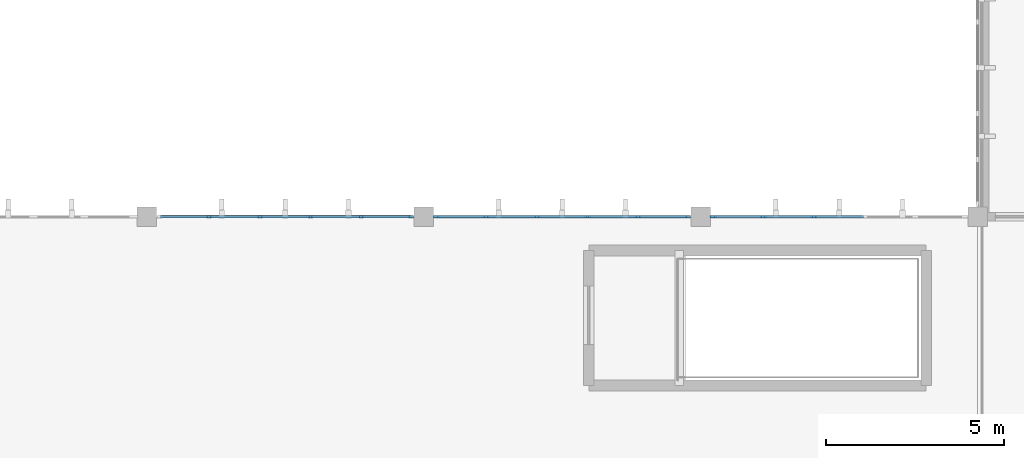
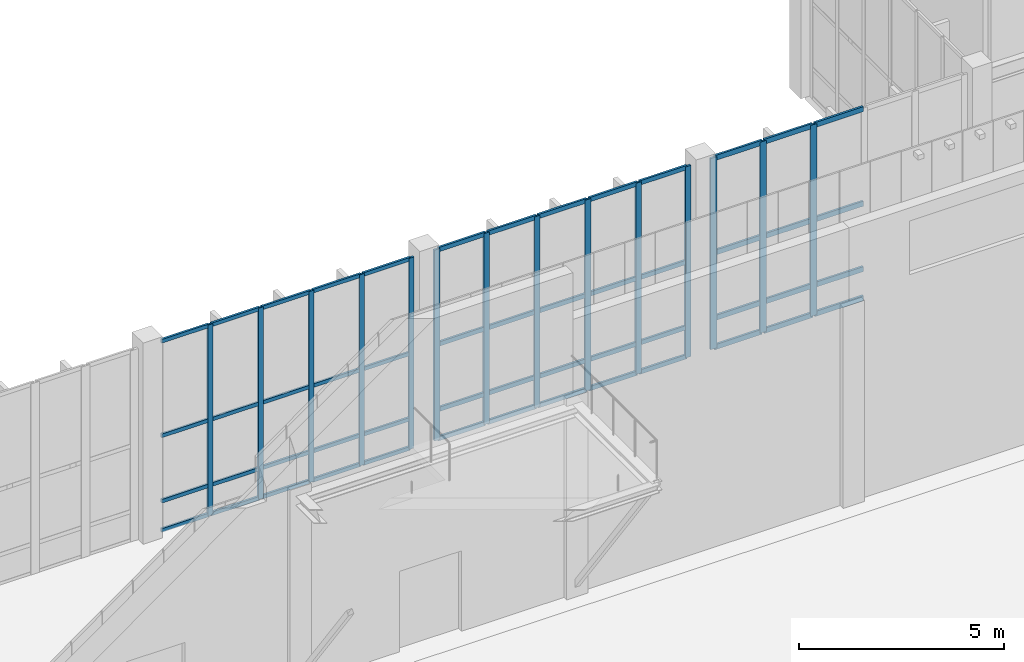
# One storey, part 34 of 105: 66 members, 3 elements without a shape of their own.
"""IFC4 building model written with IfcOpenShell, lengths in metres."""

from ifc_helpers import new_model, si_unit, direction, frame, origin, origin_2d, place, context, subcontext, project, spatial, rectangle, extrude, material, material_profile, profile_set, type_object, element, aggregate, save


model = new_model("IFC4")

# Units and contexts
model_context = context("Model", 3, precision=1e-05, world=origin(), true_north=direction((0.0, 1.0)))
body_context = subcontext(model_context, "Body", "Model", "MODEL_VIEW")
ifc_project = project(units=[si_unit("LENGTHUNIT", "METRE"), si_unit("AREAUNIT", "SQUARE_METRE"), si_unit("VOLUMEUNIT", "CUBIC_METRE"), si_unit("PLANEANGLEUNIT", "RADIAN"), si_unit("MASSUNIT", "GRAM", prefix="KILO")], contexts=[model_context])

# Site, building, storey
site_placement = place(None, origin())
site = spatial("IfcSite", under=ifc_project, at=site_placement, CompositionType="ELEMENT")
building_placement = place(site_placement, origin())
building = spatial("IfcBuilding", under=site, at=building_placement, Name="Tizgana Railside Sports Hall", CompositionType="ELEMENT")
storey_placement = place(building_placement, frame((0.0, 0.0, 6.0)))
storey = spatial("IfcBuildingStorey", under=building, at=storey_placement, Name="L01", CompositionType="ELEMENT", Elevation=6.0)

# Curtain wall, members
ifc_material_1 = material(Name="Anodised aluminium and glass", Category="aluminium")
curtain_wall_type_1 = type_object("IfcCurtainWallType", Name="Unitised Curtain Wall Clinic 1200", PredefinedType="NOTDEFINED", material=ifc_material_1)
curtain_wall_1_placement = place(storey_placement, origin())
curtain_wall_1 = element("IfcCurtainWall", 1, at=curtain_wall_1_placement, inside=storey, type_object=curtain_wall_type_1, Name="L01 Curtain Wall CW-0012", PredefinedType="NOTDEFINED")
ifc_material_2 = material(Name="Anodised aluminium", Category="aluminium")
ifc_material_profile_1 = material_profile(ifc_material_2, rectangle(XDim=0.06005859375, YDim=0.139892578125, at=origin_2d()), Name="Mullion 60x140")
ifc_profile_set_1 = profile_set([ifc_material_profile_1], Name="Anodised aluminium")
member_type_1 = type_object("IfcMemberType", Name="Mullion 60x140", PredefinedType="MULLION", material=ifc_profile_set_1)
member_1_placement = place(storey_placement, frame((32.9580078125, 80.39990234375, 0.0), z_axis=(0.0, 0.0, 1.0), x_axis=(0.0, 1.0, 0.0)))
member_1 = element("IfcMember", 2, at=member_1_placement, type_object=member_type_1, Name="CW-05 mullion 2", PredefinedType="MULLION", context=body_context, shape_type="SweptSolid", body=[
    extrude(rectangle(XDim=0.06005859375, YDim=0.139892578125, at=origin_2d()), origin(), (0.0, 0.0, 1.0), 5.699951171875),
])
member_2_placement = place(storey_placement, frame((34.385986328125, 80.39990234375, 0.0), z_axis=(0.0, 0.0, 1.0), x_axis=(0.0, 1.0, 0.0)))
member_2 = element("IfcMember", 3, at=member_2_placement, type_object=member_type_1, Name="CW-05 mullion 3", PredefinedType="MULLION", context=body_context, shape_type="SweptSolid", body=[
    extrude(rectangle(XDim=0.06005859375, YDim=0.139892578125, at=origin_2d()), origin(), (0.0, 0.0, 1.0), 5.699951171875),
])
member_3_placement = place(storey_placement, frame((35.81396484375, 80.39990234375, 0.0), z_axis=(0.0, 0.0, 1.0), x_axis=(0.0, 1.0, 0.0)))
member_3 = element("IfcMember", 4, at=member_3_placement, type_object=member_type_1, Name="CW-05 mullion 4", PredefinedType="MULLION", context=body_context, shape_type="SweptSolid", body=[
    extrude(rectangle(XDim=0.06005859375, YDim=0.139892578125, at=origin_2d()), origin(), (0.0, 0.0, 1.0), 5.699951171875),
])
member_4_placement = place(storey_placement, frame((37.241943359375, 80.39990234375, 0.0), z_axis=(0.0, 0.0, 1.0), x_axis=(0.0, 1.0, 0.0)))
member_4 = element("IfcMember", 5, at=member_4_placement, type_object=member_type_1, Name="CW-05 mullion 5", PredefinedType="MULLION", context=body_context, shape_type="SweptSolid", body=[
    extrude(rectangle(XDim=0.06005859375, YDim=0.139892578125, at=origin_2d()), origin(), (0.0, 0.0, 1.0), 5.699951171875),
])
member_5_placement = place(storey_placement, frame((38.639892578125, 80.39990234375, 0.0), z_axis=(0.0, 0.0, 1.0), x_axis=(0.0, 1.0, 0.0)))
member_5 = element("IfcMember", 6, at=member_5_placement, type_object=member_type_1, Name="CW-05 mullion 6", PredefinedType="MULLION", context=body_context, shape_type="SweptSolid", body=[
    extrude(rectangle(XDim=0.06005859375, YDim=0.139892578125, at=origin_2d()), origin(), (0.0, 0.0, 1.0), 5.699951171875),
])

curtain_wall_type_2 = type_object("IfcCurtainWallType", Name="Unitised Curtain Wall Passage 1800", PredefinedType="NOTDEFINED", material=ifc_material_1)
curtain_wall_2_placement = place(storey_placement, origin())
curtain_wall_2 = element("IfcCurtainWall", 7, at=curtain_wall_2_placement, inside=storey, type_object=curtain_wall_type_2, Name="L01 Curtain Wall CW-0013", PredefinedType="NOTDEFINED")
ifc_material_profile_2 = material_profile(ifc_material_2, rectangle(XDim=0.06005859375, YDim=0.159912109375, at=origin_2d()), Name="Mullion 60x160")
ifc_profile_set_2 = profile_set([ifc_material_profile_2], Name="Anodised aluminium")
member_type_2 = type_object("IfcMemberType", Name="Mullion 60x160", PredefinedType="MULLION", material=ifc_profile_set_2)
member_6_placement = place(storey_placement, frame((39.360107421875, 80.39990234375, 0.0), z_axis=(0.0, 0.0, 1.0), x_axis=(0.0, 1.0, 0.0)))
member_6 = element("IfcMember", 8, at=member_6_placement, type_object=member_type_2, Name="CW-06 mullion 1", PredefinedType="MULLION", context=body_context, shape_type="SweptSolid", body=[
    extrude(rectangle(XDim=0.06005859375, YDim=0.159912109375, at=origin_2d()), origin(), (0.0, 0.0, 1.0), 5.699951171875),
])
member_7_placement = place(storey_placement, frame((40.758056640625, 80.39990234375, 0.0), z_axis=(0.0, 0.0, 1.0), x_axis=(0.0, 1.0, 0.0)))
member_7 = element("IfcMember", 9, at=member_7_placement, type_object=member_type_2, Name="CW-06 mullion 2", PredefinedType="MULLION", context=body_context, shape_type="SweptSolid", body=[
    extrude(rectangle(XDim=0.06005859375, YDim=0.159912109375, at=origin_2d()), origin(), (0.0, 0.0, 1.0), 5.699951171875),
])
member_8_placement = place(storey_placement, frame((42.18603515625, 80.39990234375, 0.0), z_axis=(0.0, 0.0, 1.0), x_axis=(0.0, 1.0, 0.0)))
member_8 = element("IfcMember", 10, at=member_8_placement, type_object=member_type_2, Name="CW-06 mullion 3", PredefinedType="MULLION", context=body_context, shape_type="SweptSolid", body=[
    extrude(rectangle(XDim=0.06005859375, YDim=0.159912109375, at=origin_2d()), origin(), (0.0, 0.0, 1.0), 5.699951171875),
])
member_9_placement = place(storey_placement, frame((43.614013671875, 80.39990234375, 0.0), z_axis=(0.0, 0.0, 1.0), x_axis=(0.0, 1.0, 0.0)))
member_9 = element("IfcMember", 11, at=member_9_placement, type_object=member_type_2, Name="CW-06 mullion 4", PredefinedType="MULLION", context=body_context, shape_type="SweptSolid", body=[
    extrude(rectangle(XDim=0.06005859375, YDim=0.159912109375, at=origin_2d()), origin(), (0.0, 0.0, 1.0), 5.699951171875),
])
member_10_placement = place(storey_placement, frame((45.0419921875, 80.39990234375, 0.0), z_axis=(0.0, 0.0, 1.0), x_axis=(0.0, 1.0, 0.0)))
member_10 = element("IfcMember", 12, at=member_10_placement, type_object=member_type_2, Name="CW-06 mullion 5", PredefinedType="MULLION", context=body_context, shape_type="SweptSolid", body=[
    extrude(rectangle(XDim=0.06005859375, YDim=0.159912109375, at=origin_2d()), origin(), (0.0, 0.0, 1.0), 5.699951171875),
])
member_11_placement = place(storey_placement, frame((46.43994140625, 80.39990234375, 0.0), z_axis=(0.0, 0.0, 1.0), x_axis=(0.0, 1.0, 0.0)))
member_11 = element("IfcMember", 13, at=member_11_placement, type_object=member_type_2, Name="CW-06 mullion 6", PredefinedType="MULLION", context=body_context, shape_type="SweptSolid", body=[
    extrude(rectangle(XDim=0.06005859375, YDim=0.159912109375, at=origin_2d()), origin(), (0.0, 0.0, 1.0), 5.699951171875),
])

curtain_wall_type_3 = type_object("IfcCurtainWallType", Name="Unitised Curtain Wall WestHall 1560", PredefinedType="NOTDEFINED", material=ifc_material_1)
curtain_wall_3_placement = place(storey_placement, origin())
curtain_wall_3 = element("IfcCurtainWall", 14, at=curtain_wall_3_placement, inside=storey, type_object=curtain_wall_type_3, Name="L01 Curtain Wall CW-0014", PredefinedType="NOTDEFINED")
ifc_material_profile_3 = material_profile(ifc_material_2, rectangle(XDim=0.06005859375, YDim=0.179931640625, at=origin_2d()), Name="Mullion 60x180")
ifc_profile_set_3 = profile_set([ifc_material_profile_3], Name="Anodised aluminium")
member_type_3 = type_object("IfcMemberType", Name="Mullion 60x180", PredefinedType="MULLION", material=ifc_profile_set_3)
member_12_placement = place(storey_placement, frame((47.159912109375, 80.39990234375, 0.0), z_axis=(0.0, 0.0, 1.0), x_axis=(0.0, 1.0, 0.0)))
member_12 = element("IfcMember", 15, at=member_12_placement, type_object=member_type_3, Name="CW-07 mullion 1", PredefinedType="MULLION", context=body_context, shape_type="SweptSolid", body=[
    extrude(rectangle(XDim=0.06005859375, YDim=0.179931640625, at=origin_2d()), origin(), (0.0, 0.0, 1.0), 5.699951171875),
])
member_13_placement = place(storey_placement, frame((48.55810546875, 80.39990234375, 0.0), z_axis=(0.0, 0.0, 1.0), x_axis=(0.0, 1.0, 0.0)))
member_13 = element("IfcMember", 16, at=member_13_placement, type_object=member_type_3, Name="CW-07 mullion 2", PredefinedType="MULLION", context=body_context, shape_type="SweptSolid", body=[
    extrude(rectangle(XDim=0.06005859375, YDim=0.179931640625, at=origin_2d()), origin(), (0.0, 0.0, 1.0), 5.699951171875),
])
member_14_placement = place(storey_placement, frame((49.986083984375, 80.39990234375, 0.0), z_axis=(0.0, 0.0, 1.0), x_axis=(0.0, 1.0, 0.0)))
member_14 = element("IfcMember", 17, at=member_14_placement, type_object=member_type_3, Name="CW-07 mullion 3", PredefinedType="MULLION", context=body_context, shape_type="SweptSolid", body=[
    extrude(rectangle(XDim=0.06005859375, YDim=0.179931640625, at=origin_2d()), origin(), (0.0, 0.0, 1.0), 5.699951171875),
])

# Member
ifc_material_profile_4 = material_profile(ifc_material_2, rectangle(XDim=0.06005859375, YDim=0.110107421875, at=origin_2d()), Name="Transom 60x110")
ifc_profile_set_4 = profile_set([ifc_material_profile_4], Name="Anodised aluminium")
member_type_4 = type_object("IfcMemberType", Name="Transom 60x110", PredefinedType="USERDEFINED", material=ifc_profile_set_4)
member_15_placement = place(storey_placement, frame((31.590087890625, 80.39990234375, 0.030029296875), z_axis=(1.0, 0.0, 0.0), x_axis=(0.0, 1.0, 0.0)))
member_15 = element("IfcMember", 18, at=member_15_placement, type_object=member_type_4, Name="CW-05 transom 1.1", ObjectType="TRANSOM", PredefinedType="USERDEFINED", context=body_context, shape_type="SweptSolid", body=[
    extrude(rectangle(XDim=0.06005859375, YDim=0.110107421875, at=origin_2d()), origin(), (0.0, 0.0, 1.0), 1.337890625),
])

member_16_placement = place(storey_placement, frame((31.590087890625, 80.39990234375, 0.89990234375), z_axis=(1.0, 0.0, 0.0), x_axis=(0.0, 1.0, 0.0)))
member_16 = element("IfcMember", 19, at=member_16_placement, type_object=member_type_4, Name="CW-05 transom 1.2", ObjectType="TRANSOM", PredefinedType="USERDEFINED", context=body_context, shape_type="SweptSolid", body=[
    extrude(rectangle(XDim=0.06005859375, YDim=0.110107421875, at=origin_2d()), origin(), (0.0, 0.0, 1.0), 1.337890625),
])

member_17_placement = place(storey_placement, frame((31.590087890625, 80.39990234375, 2.85009765625), z_axis=(1.0, 0.0, 0.0), x_axis=(0.0, 1.0, 0.0)))
member_17 = element("IfcMember", 20, at=member_17_placement, type_object=member_type_4, Name="CW-05 transom 1.3", ObjectType="TRANSOM", PredefinedType="USERDEFINED", context=body_context, shape_type="SweptSolid", body=[
    extrude(rectangle(XDim=0.06005859375, YDim=0.110107421875, at=origin_2d()), origin(), (0.0, 0.0, 1.0), 1.337890625),
])

member_18_placement = place(storey_placement, frame((31.590087890625, 80.39990234375, 5.669921875), z_axis=(1.0, 0.0, 0.0), x_axis=(0.0, 1.0, 0.0)))
member_18 = element("IfcMember", 21, at=member_18_placement, type_object=member_type_4, Name="CW-05 transom 1.4", ObjectType="TRANSOM", PredefinedType="USERDEFINED", context=body_context, shape_type="SweptSolid", body=[
    extrude(rectangle(XDim=0.06005859375, YDim=0.110107421875, at=origin_2d()), origin(), (0.0, 0.0, 1.0), 1.337890625),
])

member_19_placement = place(storey_placement, frame((32.988037109375, 80.39990234375, 0.030029296875), z_axis=(1.0, 0.0, 0.0), x_axis=(0.0, 1.0, 0.0)))
member_19 = element("IfcMember", 22, at=member_19_placement, type_object=member_type_4, Name="CW-05 transom 2.1", ObjectType="TRANSOM", PredefinedType="USERDEFINED", context=body_context, shape_type="SweptSolid", body=[
    extrude(rectangle(XDim=0.06005859375, YDim=0.110107421875, at=origin_2d()), origin(), (0.0, 0.0, 1.0), 1.367919921875),
])

member_20_placement = place(storey_placement, frame((32.988037109375, 80.39990234375, 0.89990234375), z_axis=(1.0, 0.0, 0.0), x_axis=(0.0, 1.0, 0.0)))
member_20 = element("IfcMember", 23, at=member_20_placement, type_object=member_type_4, Name="CW-05 transom 2.2", ObjectType="TRANSOM", PredefinedType="USERDEFINED", context=body_context, shape_type="SweptSolid", body=[
    extrude(rectangle(XDim=0.06005859375, YDim=0.110107421875, at=origin_2d()), origin(), (0.0, 0.0, 1.0), 1.367919921875),
])

member_21_placement = place(storey_placement, frame((32.988037109375, 80.39990234375, 2.85009765625), z_axis=(1.0, 0.0, 0.0), x_axis=(0.0, 1.0, 0.0)))
member_21 = element("IfcMember", 24, at=member_21_placement, type_object=member_type_4, Name="CW-05 transom 2.3", ObjectType="TRANSOM", PredefinedType="USERDEFINED", context=body_context, shape_type="SweptSolid", body=[
    extrude(rectangle(XDim=0.06005859375, YDim=0.110107421875, at=origin_2d()), origin(), (0.0, 0.0, 1.0), 1.367919921875),
])

member_22_placement = place(storey_placement, frame((32.988037109375, 80.39990234375, 5.669921875), z_axis=(1.0, 0.0, 0.0), x_axis=(0.0, 1.0, 0.0)))
member_22 = element("IfcMember", 25, at=member_22_placement, type_object=member_type_4, Name="CW-05 transom 2.4", ObjectType="TRANSOM", PredefinedType="USERDEFINED", context=body_context, shape_type="SweptSolid", body=[
    extrude(rectangle(XDim=0.06005859375, YDim=0.110107421875, at=origin_2d()), origin(), (0.0, 0.0, 1.0), 1.367919921875),
])

member_23_placement = place(storey_placement, frame((34.416015625, 80.39990234375, 0.030029296875), z_axis=(1.0, 0.0, 0.0), x_axis=(0.0, 1.0, 0.0)))
member_23 = element("IfcMember", 26, at=member_23_placement, type_object=member_type_4, Name="CW-05 transom 3.1", ObjectType="TRANSOM", PredefinedType="USERDEFINED", context=body_context, shape_type="SweptSolid", body=[
    extrude(rectangle(XDim=0.06005859375, YDim=0.110107421875, at=origin_2d()), origin(), (0.0, 0.0, 1.0), 1.367919921875),
])

member_24_placement = place(storey_placement, frame((34.416015625, 80.39990234375, 0.89990234375), z_axis=(1.0, 0.0, 0.0), x_axis=(0.0, 1.0, 0.0)))
member_24 = element("IfcMember", 27, at=member_24_placement, type_object=member_type_4, Name="CW-05 transom 3.2", ObjectType="TRANSOM", PredefinedType="USERDEFINED", context=body_context, shape_type="SweptSolid", body=[
    extrude(rectangle(XDim=0.06005859375, YDim=0.110107421875, at=origin_2d()), origin(), (0.0, 0.0, 1.0), 1.367919921875),
])

member_25_placement = place(storey_placement, frame((34.416015625, 80.39990234375, 2.85009765625), z_axis=(1.0, 0.0, 0.0), x_axis=(0.0, 1.0, 0.0)))
member_25 = element("IfcMember", 28, at=member_25_placement, type_object=member_type_4, Name="CW-05 transom 3.3", ObjectType="TRANSOM", PredefinedType="USERDEFINED", context=body_context, shape_type="SweptSolid", body=[
    extrude(rectangle(XDim=0.06005859375, YDim=0.110107421875, at=origin_2d()), origin(), (0.0, 0.0, 1.0), 1.367919921875),
])

member_26_placement = place(storey_placement, frame((34.416015625, 80.39990234375, 5.669921875), z_axis=(1.0, 0.0, 0.0), x_axis=(0.0, 1.0, 0.0)))
member_26 = element("IfcMember", 29, at=member_26_placement, type_object=member_type_4, Name="CW-05 transom 3.4", ObjectType="TRANSOM", PredefinedType="USERDEFINED", context=body_context, shape_type="SweptSolid", body=[
    extrude(rectangle(XDim=0.06005859375, YDim=0.110107421875, at=origin_2d()), origin(), (0.0, 0.0, 1.0), 1.367919921875),
])

member_27_placement = place(storey_placement, frame((35.843994140625, 80.39990234375, 0.030029296875), z_axis=(1.0, 0.0, 0.0), x_axis=(0.0, 1.0, 0.0)))
member_27 = element("IfcMember", 30, at=member_27_placement, type_object=member_type_4, Name="CW-05 transom 4.1", ObjectType="TRANSOM", PredefinedType="USERDEFINED", context=body_context, shape_type="SweptSolid", body=[
    extrude(rectangle(XDim=0.06005859375, YDim=0.110107421875, at=origin_2d()), origin(), (0.0, 0.0, 1.0), 1.367919921875),
])

member_28_placement = place(storey_placement, frame((35.843994140625, 80.39990234375, 0.89990234375), z_axis=(1.0, 0.0, 0.0), x_axis=(0.0, 1.0, 0.0)))
member_28 = element("IfcMember", 31, at=member_28_placement, type_object=member_type_4, Name="CW-05 transom 4.2", ObjectType="TRANSOM", PredefinedType="USERDEFINED", context=body_context, shape_type="SweptSolid", body=[
    extrude(rectangle(XDim=0.06005859375, YDim=0.110107421875, at=origin_2d()), origin(), (0.0, 0.0, 1.0), 1.367919921875),
])

member_29_placement = place(storey_placement, frame((35.843994140625, 80.39990234375, 2.85009765625), z_axis=(1.0, 0.0, 0.0), x_axis=(0.0, 1.0, 0.0)))
member_29 = element("IfcMember", 32, at=member_29_placement, type_object=member_type_4, Name="CW-05 transom 4.3", ObjectType="TRANSOM", PredefinedType="USERDEFINED", context=body_context, shape_type="SweptSolid", body=[
    extrude(rectangle(XDim=0.06005859375, YDim=0.110107421875, at=origin_2d()), origin(), (0.0, 0.0, 1.0), 1.367919921875),
])

member_30_placement = place(storey_placement, frame((35.843994140625, 80.39990234375, 5.669921875), z_axis=(1.0, 0.0, 0.0), x_axis=(0.0, 1.0, 0.0)))
member_30 = element("IfcMember", 33, at=member_30_placement, type_object=member_type_4, Name="CW-05 transom 4.4", ObjectType="TRANSOM", PredefinedType="USERDEFINED", context=body_context, shape_type="SweptSolid", body=[
    extrude(rectangle(XDim=0.06005859375, YDim=0.110107421875, at=origin_2d()), origin(), (0.0, 0.0, 1.0), 1.367919921875),
])

member_31_placement = place(storey_placement, frame((37.27197265625, 80.39990234375, 0.030029296875), z_axis=(1.0, 0.0, 0.0), x_axis=(0.0, 1.0, 0.0)))
member_31 = element("IfcMember", 34, at=member_31_placement, type_object=member_type_4, Name="CW-05 transom 5.1", ObjectType="TRANSOM", PredefinedType="USERDEFINED", context=body_context, shape_type="SweptSolid", body=[
    extrude(rectangle(XDim=0.06005859375, YDim=0.110107421875, at=origin_2d()), origin(), (0.0, 0.0, 1.0), 1.338134765625),
])

member_32_placement = place(storey_placement, frame((37.27197265625, 80.39990234375, 0.89990234375), z_axis=(1.0, 0.0, 0.0), x_axis=(0.0, 1.0, 0.0)))
member_32 = element("IfcMember", 35, at=member_32_placement, type_object=member_type_4, Name="CW-05 transom 5.2", ObjectType="TRANSOM", PredefinedType="USERDEFINED", context=body_context, shape_type="SweptSolid", body=[
    extrude(rectangle(XDim=0.06005859375, YDim=0.110107421875, at=origin_2d()), origin(), (0.0, 0.0, 1.0), 1.338134765625),
])

member_33_placement = place(storey_placement, frame((37.27197265625, 80.39990234375, 2.85009765625), z_axis=(1.0, 0.0, 0.0), x_axis=(0.0, 1.0, 0.0)))
member_33 = element("IfcMember", 36, at=member_33_placement, type_object=member_type_4, Name="CW-05 transom 5.3", ObjectType="TRANSOM", PredefinedType="USERDEFINED", context=body_context, shape_type="SweptSolid", body=[
    extrude(rectangle(XDim=0.06005859375, YDim=0.110107421875, at=origin_2d()), origin(), (0.0, 0.0, 1.0), 1.338134765625),
])

member_34_placement = place(storey_placement, frame((37.27197265625, 80.39990234375, 5.669921875), z_axis=(1.0, 0.0, 0.0), x_axis=(0.0, 1.0, 0.0)))
member_34 = element("IfcMember", 37, at=member_34_placement, type_object=member_type_4, Name="CW-05 transom 5.4", ObjectType="TRANSOM", PredefinedType="USERDEFINED", context=body_context, shape_type="SweptSolid", body=[
    extrude(rectangle(XDim=0.06005859375, YDim=0.110107421875, at=origin_2d()), origin(), (0.0, 0.0, 1.0), 1.338134765625),
])

aggregate(curtain_wall_1, [member_1, member_2, member_3, member_4, member_5, member_15, member_16, member_17, member_18, member_19, member_20, member_21, member_22, member_23, member_24, member_25, member_26, member_27, member_28, member_29, member_30, member_31, member_32, member_33, member_34])

ifc_material_profile_5 = material_profile(ifc_material_2, rectangle(XDim=0.06005859375, YDim=0.1298828125, at=origin_2d()), Name="Transom 60x130")
ifc_profile_set_5 = profile_set([ifc_material_profile_5], Name="Anodised aluminium")
member_type_5 = type_object("IfcMemberType", Name="Transom 60x130", PredefinedType="USERDEFINED", material=ifc_profile_set_5)
member_35_placement = place(storey_placement, frame((39.389892578125, 80.39990234375, 0.030029296875), z_axis=(1.0, 0.0, 0.0), x_axis=(0.0, 1.0, 0.0)))
member_35 = element("IfcMember", 38, at=member_35_placement, type_object=member_type_5, Name="CW-06 transom 1.1", ObjectType="TRANSOM", PredefinedType="USERDEFINED", context=body_context, shape_type="SweptSolid", body=[
    extrude(rectangle(XDim=0.06005859375, YDim=0.1298828125, at=origin_2d()), origin(), (0.0, 0.0, 1.0), 1.338134765625),
])

member_36_placement = place(storey_placement, frame((39.389892578125, 80.39990234375, 0.89990234375), z_axis=(1.0, 0.0, 0.0), x_axis=(0.0, 1.0, 0.0)))
member_36 = element("IfcMember", 39, at=member_36_placement, type_object=member_type_5, Name="CW-06 transom 1.2", ObjectType="TRANSOM", PredefinedType="USERDEFINED", context=body_context, shape_type="SweptSolid", body=[
    extrude(rectangle(XDim=0.06005859375, YDim=0.1298828125, at=origin_2d()), origin(), (0.0, 0.0, 1.0), 1.338134765625),
])

member_37_placement = place(storey_placement, frame((39.389892578125, 80.39990234375, 2.85009765625), z_axis=(1.0, 0.0, 0.0), x_axis=(0.0, 1.0, 0.0)))
member_37 = element("IfcMember", 40, at=member_37_placement, type_object=member_type_5, Name="CW-06 transom 1.3", ObjectType="TRANSOM", PredefinedType="USERDEFINED", context=body_context, shape_type="SweptSolid", body=[
    extrude(rectangle(XDim=0.06005859375, YDim=0.1298828125, at=origin_2d()), origin(), (0.0, 0.0, 1.0), 1.338134765625),
])

member_38_placement = place(storey_placement, frame((39.389892578125, 80.39990234375, 5.669921875), z_axis=(1.0, 0.0, 0.0), x_axis=(0.0, 1.0, 0.0)))
member_38 = element("IfcMember", 41, at=member_38_placement, type_object=member_type_5, Name="CW-06 transom 1.4", ObjectType="TRANSOM", PredefinedType="USERDEFINED", context=body_context, shape_type="SweptSolid", body=[
    extrude(rectangle(XDim=0.06005859375, YDim=0.1298828125, at=origin_2d()), origin(), (0.0, 0.0, 1.0), 1.338134765625),
])

member_39_placement = place(storey_placement, frame((40.7880859375, 80.39990234375, 0.030029296875), z_axis=(1.0, 0.0, 0.0), x_axis=(0.0, 1.0, 0.0)))
member_39 = element("IfcMember", 42, at=member_39_placement, type_object=member_type_5, Name="CW-06 transom 2.1", ObjectType="TRANSOM", PredefinedType="USERDEFINED", context=body_context, shape_type="SweptSolid", body=[
    extrude(rectangle(XDim=0.06005859375, YDim=0.1298828125, at=origin_2d()), origin(), (0.0, 0.0, 1.0), 1.367919921875),
])

member_40_placement = place(storey_placement, frame((40.7880859375, 80.39990234375, 0.89990234375), z_axis=(1.0, 0.0, 0.0), x_axis=(0.0, 1.0, 0.0)))
member_40 = element("IfcMember", 43, at=member_40_placement, type_object=member_type_5, Name="CW-06 transom 2.2", ObjectType="TRANSOM", PredefinedType="USERDEFINED", context=body_context, shape_type="SweptSolid", body=[
    extrude(rectangle(XDim=0.06005859375, YDim=0.1298828125, at=origin_2d()), origin(), (0.0, 0.0, 1.0), 1.367919921875),
])

member_41_placement = place(storey_placement, frame((40.7880859375, 80.39990234375, 2.85009765625), z_axis=(1.0, 0.0, 0.0), x_axis=(0.0, 1.0, 0.0)))
member_41 = element("IfcMember", 44, at=member_41_placement, type_object=member_type_5, Name="CW-06 transom 2.3", ObjectType="TRANSOM", PredefinedType="USERDEFINED", context=body_context, shape_type="SweptSolid", body=[
    extrude(rectangle(XDim=0.06005859375, YDim=0.1298828125, at=origin_2d()), origin(), (0.0, 0.0, 1.0), 1.367919921875),
])

member_42_placement = place(storey_placement, frame((40.7880859375, 80.39990234375, 5.669921875), z_axis=(1.0, 0.0, 0.0), x_axis=(0.0, 1.0, 0.0)))
member_42 = element("IfcMember", 45, at=member_42_placement, type_object=member_type_5, Name="CW-06 transom 2.4", ObjectType="TRANSOM", PredefinedType="USERDEFINED", context=body_context, shape_type="SweptSolid", body=[
    extrude(rectangle(XDim=0.06005859375, YDim=0.1298828125, at=origin_2d()), origin(), (0.0, 0.0, 1.0), 1.367919921875),
])

member_43_placement = place(storey_placement, frame((42.216064453125, 80.39990234375, 0.030029296875), z_axis=(1.0, 0.0, 0.0), x_axis=(0.0, 1.0, 0.0)))
member_43 = element("IfcMember", 46, at=member_43_placement, type_object=member_type_5, Name="CW-06 transom 3.1", ObjectType="TRANSOM", PredefinedType="USERDEFINED", context=body_context, shape_type="SweptSolid", body=[
    extrude(rectangle(XDim=0.06005859375, YDim=0.1298828125, at=origin_2d()), origin(), (0.0, 0.0, 1.0), 1.367919921875),
])

member_44_placement = place(storey_placement, frame((42.216064453125, 80.39990234375, 0.89990234375), z_axis=(1.0, 0.0, 0.0), x_axis=(0.0, 1.0, 0.0)))
member_44 = element("IfcMember", 47, at=member_44_placement, type_object=member_type_5, Name="CW-06 transom 3.2", ObjectType="TRANSOM", PredefinedType="USERDEFINED", context=body_context, shape_type="SweptSolid", body=[
    extrude(rectangle(XDim=0.06005859375, YDim=0.1298828125, at=origin_2d()), origin(), (0.0, 0.0, 1.0), 1.367919921875),
])

member_45_placement = place(storey_placement, frame((42.216064453125, 80.39990234375, 2.85009765625), z_axis=(1.0, 0.0, 0.0), x_axis=(0.0, 1.0, 0.0)))
member_45 = element("IfcMember", 48, at=member_45_placement, type_object=member_type_5, Name="CW-06 transom 3.3", ObjectType="TRANSOM", PredefinedType="USERDEFINED", context=body_context, shape_type="SweptSolid", body=[
    extrude(rectangle(XDim=0.06005859375, YDim=0.1298828125, at=origin_2d()), origin(), (0.0, 0.0, 1.0), 1.367919921875),
])

member_46_placement = place(storey_placement, frame((42.216064453125, 80.39990234375, 5.669921875), z_axis=(1.0, 0.0, 0.0), x_axis=(0.0, 1.0, 0.0)))
member_46 = element("IfcMember", 49, at=member_46_placement, type_object=member_type_5, Name="CW-06 transom 3.4", ObjectType="TRANSOM", PredefinedType="USERDEFINED", context=body_context, shape_type="SweptSolid", body=[
    extrude(rectangle(XDim=0.06005859375, YDim=0.1298828125, at=origin_2d()), origin(), (0.0, 0.0, 1.0), 1.367919921875),
])

member_47_placement = place(storey_placement, frame((43.64404296875, 80.39990234375, 0.030029296875), z_axis=(1.0, 0.0, 0.0), x_axis=(0.0, 1.0, 0.0)))
member_47 = element("IfcMember", 50, at=member_47_placement, type_object=member_type_5, Name="CW-06 transom 4.1", ObjectType="TRANSOM", PredefinedType="USERDEFINED", context=body_context, shape_type="SweptSolid", body=[
    extrude(rectangle(XDim=0.06005859375, YDim=0.1298828125, at=origin_2d()), origin(), (0.0, 0.0, 1.0), 1.367919921875),
])

member_48_placement = place(storey_placement, frame((43.64404296875, 80.39990234375, 0.89990234375), z_axis=(1.0, 0.0, 0.0), x_axis=(0.0, 1.0, 0.0)))
member_48 = element("IfcMember", 51, at=member_48_placement, type_object=member_type_5, Name="CW-06 transom 4.2", ObjectType="TRANSOM", PredefinedType="USERDEFINED", context=body_context, shape_type="SweptSolid", body=[
    extrude(rectangle(XDim=0.06005859375, YDim=0.1298828125, at=origin_2d()), origin(), (0.0, 0.0, 1.0), 1.367919921875),
])

member_49_placement = place(storey_placement, frame((43.64404296875, 80.39990234375, 2.85009765625), z_axis=(1.0, 0.0, 0.0), x_axis=(0.0, 1.0, 0.0)))
member_49 = element("IfcMember", 52, at=member_49_placement, type_object=member_type_5, Name="CW-06 transom 4.3", ObjectType="TRANSOM", PredefinedType="USERDEFINED", context=body_context, shape_type="SweptSolid", body=[
    extrude(rectangle(XDim=0.06005859375, YDim=0.1298828125, at=origin_2d()), origin(), (0.0, 0.0, 1.0), 1.367919921875),
])

member_50_placement = place(storey_placement, frame((43.64404296875, 80.39990234375, 5.669921875), z_axis=(1.0, 0.0, 0.0), x_axis=(0.0, 1.0, 0.0)))
member_50 = element("IfcMember", 53, at=member_50_placement, type_object=member_type_5, Name="CW-06 transom 4.4", ObjectType="TRANSOM", PredefinedType="USERDEFINED", context=body_context, shape_type="SweptSolid", body=[
    extrude(rectangle(XDim=0.06005859375, YDim=0.1298828125, at=origin_2d()), origin(), (0.0, 0.0, 1.0), 1.367919921875),
])

member_51_placement = place(storey_placement, frame((45.072021484375, 80.39990234375, 0.030029296875), z_axis=(1.0, 0.0, 0.0), x_axis=(0.0, 1.0, 0.0)))
member_51 = element("IfcMember", 54, at=member_51_placement, type_object=member_type_5, Name="CW-06 transom 5.1", ObjectType="TRANSOM", PredefinedType="USERDEFINED", context=body_context, shape_type="SweptSolid", body=[
    extrude(rectangle(XDim=0.06005859375, YDim=0.1298828125, at=origin_2d()), origin(), (0.0, 0.0, 1.0), 1.337890625),
])

member_52_placement = place(storey_placement, frame((45.072021484375, 80.39990234375, 0.89990234375), z_axis=(1.0, 0.0, 0.0), x_axis=(0.0, 1.0, 0.0)))
member_52 = element("IfcMember", 55, at=member_52_placement, type_object=member_type_5, Name="CW-06 transom 5.2", ObjectType="TRANSOM", PredefinedType="USERDEFINED", context=body_context, shape_type="SweptSolid", body=[
    extrude(rectangle(XDim=0.06005859375, YDim=0.1298828125, at=origin_2d()), origin(), (0.0, 0.0, 1.0), 1.337890625),
])

member_53_placement = place(storey_placement, frame((45.072021484375, 80.39990234375, 2.85009765625), z_axis=(1.0, 0.0, 0.0), x_axis=(0.0, 1.0, 0.0)))
member_53 = element("IfcMember", 56, at=member_53_placement, type_object=member_type_5, Name="CW-06 transom 5.3", ObjectType="TRANSOM", PredefinedType="USERDEFINED", context=body_context, shape_type="SweptSolid", body=[
    extrude(rectangle(XDim=0.06005859375, YDim=0.1298828125, at=origin_2d()), origin(), (0.0, 0.0, 1.0), 1.337890625),
])

member_54_placement = place(storey_placement, frame((45.072021484375, 80.39990234375, 5.669921875), z_axis=(1.0, 0.0, 0.0), x_axis=(0.0, 1.0, 0.0)))
member_54 = element("IfcMember", 57, at=member_54_placement, type_object=member_type_5, Name="CW-06 transom 5.4", ObjectType="TRANSOM", PredefinedType="USERDEFINED", context=body_context, shape_type="SweptSolid", body=[
    extrude(rectangle(XDim=0.06005859375, YDim=0.1298828125, at=origin_2d()), origin(), (0.0, 0.0, 1.0), 1.337890625),
])

aggregate(curtain_wall_2, [member_6, member_7, member_8, member_9, member_10, member_11, member_35, member_36, member_37, member_38, member_39, member_40, member_41, member_42, member_43, member_44, member_45, member_46, member_47, member_48, member_49, member_50, member_51, member_52, member_53, member_54])

ifc_material_profile_6 = material_profile(ifc_material_2, rectangle(XDim=0.06005859375, YDim=0.14990234375, at=origin_2d()), Name="Transom 60x150")
ifc_profile_set_6 = profile_set([ifc_material_profile_6], Name="Anodised aluminium")
member_type_6 = type_object("IfcMemberType", Name="Transom 60x150", PredefinedType="USERDEFINED", material=ifc_profile_set_6)
member_55_placement = place(storey_placement, frame((47.18994140625, 80.39990234375, 0.030029296875), z_axis=(1.0, 0.0, 0.0), x_axis=(0.0, 1.0, 0.0)))
member_55 = element("IfcMember", 58, at=member_55_placement, type_object=member_type_6, Name="CW-07 transom 1.1", ObjectType="TRANSOM", PredefinedType="USERDEFINED", context=body_context, shape_type="SweptSolid", body=[
    extrude(rectangle(XDim=0.06005859375, YDim=0.14990234375, at=origin_2d()), origin(), (0.0, 0.0, 1.0), 1.338134765625),
])

member_56_placement = place(storey_placement, frame((47.18994140625, 80.39990234375, 0.89990234375), z_axis=(1.0, 0.0, 0.0), x_axis=(0.0, 1.0, 0.0)))
member_56 = element("IfcMember", 59, at=member_56_placement, type_object=member_type_6, Name="CW-07 transom 1.2", ObjectType="TRANSOM", PredefinedType="USERDEFINED", context=body_context, shape_type="SweptSolid", body=[
    extrude(rectangle(XDim=0.06005859375, YDim=0.14990234375, at=origin_2d()), origin(), (0.0, 0.0, 1.0), 1.338134765625),
])

member_57_placement = place(storey_placement, frame((47.18994140625, 80.39990234375, 2.85009765625), z_axis=(1.0, 0.0, 0.0), x_axis=(0.0, 1.0, 0.0)))
member_57 = element("IfcMember", 60, at=member_57_placement, type_object=member_type_6, Name="CW-07 transom 1.3", ObjectType="TRANSOM", PredefinedType="USERDEFINED", context=body_context, shape_type="SweptSolid", body=[
    extrude(rectangle(XDim=0.06005859375, YDim=0.14990234375, at=origin_2d()), origin(), (0.0, 0.0, 1.0), 1.338134765625),
])

member_58_placement = place(storey_placement, frame((47.18994140625, 80.39990234375, 5.669921875), z_axis=(1.0, 0.0, 0.0), x_axis=(0.0, 1.0, 0.0)))
member_58 = element("IfcMember", 61, at=member_58_placement, type_object=member_type_6, Name="CW-07 transom 1.4", ObjectType="TRANSOM", PredefinedType="USERDEFINED", context=body_context, shape_type="SweptSolid", body=[
    extrude(rectangle(XDim=0.06005859375, YDim=0.14990234375, at=origin_2d()), origin(), (0.0, 0.0, 1.0), 1.338134765625),
])

member_59_placement = place(storey_placement, frame((48.587890625, 80.39990234375, 0.030029296875), z_axis=(1.0, 0.0, 0.0), x_axis=(0.0, 1.0, 0.0)))
member_59 = element("IfcMember", 62, at=member_59_placement, type_object=member_type_6, Name="CW-07 transom 2.1", ObjectType="TRANSOM", PredefinedType="USERDEFINED", context=body_context, shape_type="SweptSolid", body=[
    extrude(rectangle(XDim=0.06005859375, YDim=0.14990234375, at=origin_2d()), origin(), (0.0, 0.0, 1.0), 1.3681640625),
])

member_60_placement = place(storey_placement, frame((48.587890625, 80.39990234375, 0.89990234375), z_axis=(1.0, 0.0, 0.0), x_axis=(0.0, 1.0, 0.0)))
member_60 = element("IfcMember", 63, at=member_60_placement, type_object=member_type_6, Name="CW-07 transom 2.2", ObjectType="TRANSOM", PredefinedType="USERDEFINED", context=body_context, shape_type="SweptSolid", body=[
    extrude(rectangle(XDim=0.06005859375, YDim=0.14990234375, at=origin_2d()), origin(), (0.0, 0.0, 1.0), 1.3681640625),
])

member_61_placement = place(storey_placement, frame((48.587890625, 80.39990234375, 2.85009765625), z_axis=(1.0, 0.0, 0.0), x_axis=(0.0, 1.0, 0.0)))
member_61 = element("IfcMember", 64, at=member_61_placement, type_object=member_type_6, Name="CW-07 transom 2.3", ObjectType="TRANSOM", PredefinedType="USERDEFINED", context=body_context, shape_type="SweptSolid", body=[
    extrude(rectangle(XDim=0.06005859375, YDim=0.14990234375, at=origin_2d()), origin(), (0.0, 0.0, 1.0), 1.3681640625),
])

member_62_placement = place(storey_placement, frame((48.587890625, 80.39990234375, 5.669921875), z_axis=(1.0, 0.0, 0.0), x_axis=(0.0, 1.0, 0.0)))
member_62 = element("IfcMember", 65, at=member_62_placement, type_object=member_type_6, Name="CW-07 transom 2.4", ObjectType="TRANSOM", PredefinedType="USERDEFINED", context=body_context, shape_type="SweptSolid", body=[
    extrude(rectangle(XDim=0.06005859375, YDim=0.14990234375, at=origin_2d()), origin(), (0.0, 0.0, 1.0), 1.3681640625),
])

member_63_placement = place(storey_placement, frame((50.01611328125, 80.39990234375, 0.030029296875), z_axis=(1.0, 0.0, 0.0), x_axis=(0.0, 1.0, 0.0)))
member_63 = element("IfcMember", 66, at=member_63_placement, type_object=member_type_6, Name="CW-07 transom 3.1", ObjectType="TRANSOM", PredefinedType="USERDEFINED", context=body_context, shape_type="SweptSolid", body=[
    extrude(rectangle(XDim=0.06005859375, YDim=0.14990234375, at=origin_2d()), origin(), (0.0, 0.0, 1.0), 1.367919921875),
])

member_64_placement = place(storey_placement, frame((50.01611328125, 80.39990234375, 0.89990234375), z_axis=(1.0, 0.0, 0.0), x_axis=(0.0, 1.0, 0.0)))
member_64 = element("IfcMember", 67, at=member_64_placement, type_object=member_type_6, Name="CW-07 transom 3.2", ObjectType="TRANSOM", PredefinedType="USERDEFINED", context=body_context, shape_type="SweptSolid", body=[
    extrude(rectangle(XDim=0.06005859375, YDim=0.14990234375, at=origin_2d()), origin(), (0.0, 0.0, 1.0), 1.367919921875),
])

member_65_placement = place(storey_placement, frame((50.01611328125, 80.39990234375, 2.85009765625), z_axis=(1.0, 0.0, 0.0), x_axis=(0.0, 1.0, 0.0)))
member_65 = element("IfcMember", 68, at=member_65_placement, type_object=member_type_6, Name="CW-07 transom 3.3", ObjectType="TRANSOM", PredefinedType="USERDEFINED", context=body_context, shape_type="SweptSolid", body=[
    extrude(rectangle(XDim=0.06005859375, YDim=0.14990234375, at=origin_2d()), origin(), (0.0, 0.0, 1.0), 1.367919921875),
])

member_66_placement = place(storey_placement, frame((50.01611328125, 80.39990234375, 5.669921875), z_axis=(1.0, 0.0, 0.0), x_axis=(0.0, 1.0, 0.0)))
member_66 = element("IfcMember", 69, at=member_66_placement, type_object=member_type_6, Name="CW-07 transom 3.4", ObjectType="TRANSOM", PredefinedType="USERDEFINED", context=body_context, shape_type="SweptSolid", body=[
    extrude(rectangle(XDim=0.06005859375, YDim=0.14990234375, at=origin_2d()), origin(), (0.0, 0.0, 1.0), 1.367919921875),
])

aggregate(curtain_wall_3, [member_12, member_13, member_14, member_55, member_56, member_57, member_58, member_59, member_60, member_61, member_62, member_63, member_64, member_65, member_66])

save(model, "model.ifc")
